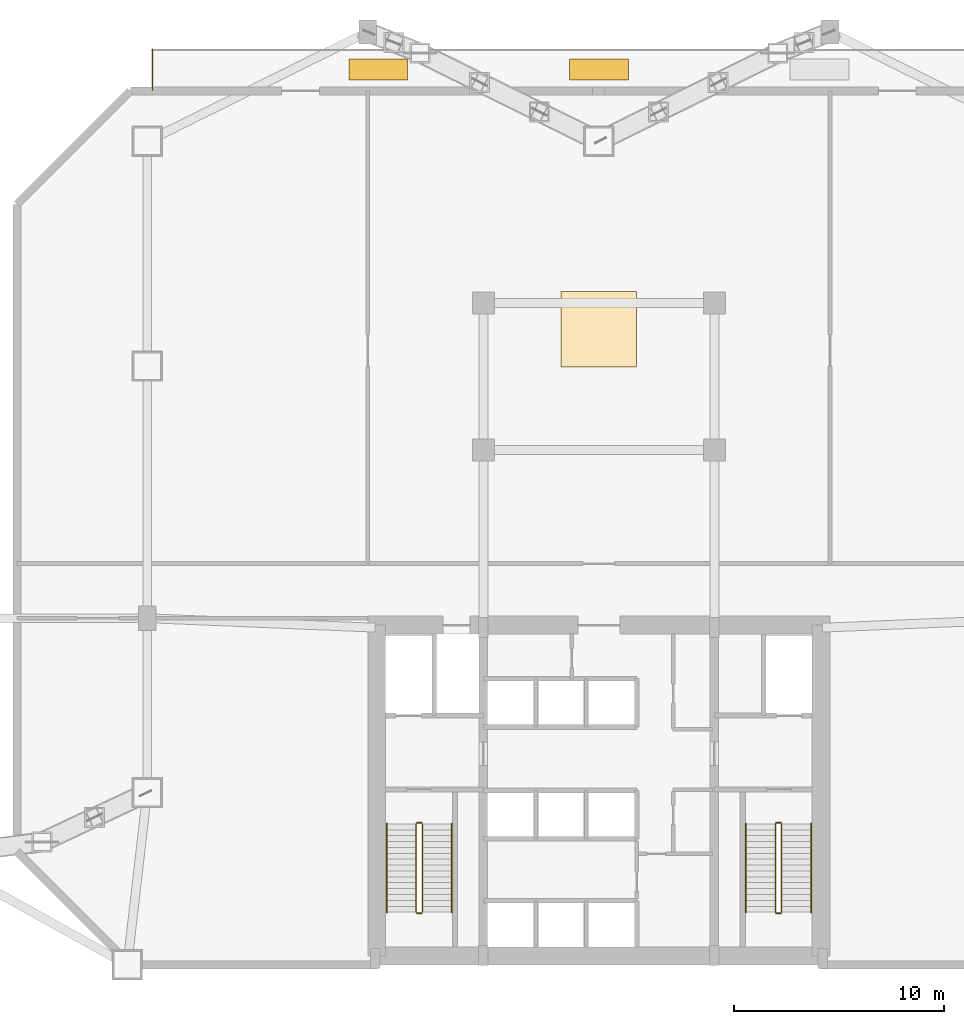
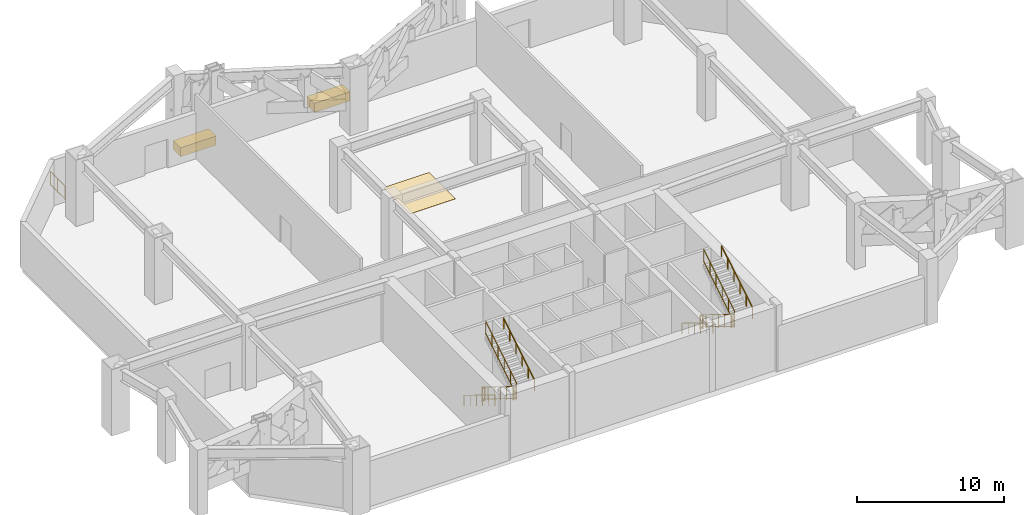
# One storey, part 8 of 9: 13 railings, 3 coverings.
"""IFC4 building model written with IfcOpenShell, lengths in metres."""

from ifc_helpers import new_model, si_unit, direction, frame, origin, origin_2d, place, context, subcontext, project, spatial, rectangle, extrude, source, transform, mapped, material, layer, layer_set, type_object, type_shapes, element, save


model = new_model("IFC4")

# Units and contexts
model_context = context("Model", 3, precision=1e-05, world=origin(), true_north=direction((0.0, 1.0)))
body_context = subcontext(model_context, "Body", "Model", "MODEL_VIEW")
ifc_project = project(units=[si_unit("LENGTHUNIT", "METRE"), si_unit("AREAUNIT", "SQUARE_METRE"), si_unit("VOLUMEUNIT", "CUBIC_METRE"), si_unit("PLANEANGLEUNIT", "RADIAN"), si_unit("MASSUNIT", "GRAM", prefix="KILO")], contexts=[model_context])

# Site, building, storey
site_placement = place(None, origin())
site = spatial("IfcSite", under=ifc_project, at=site_placement, CompositionType="ELEMENT")
building_placement = place(site_placement, origin())
building = spatial("IfcBuilding", under=site, at=building_placement, Name="Varnakhor Terracotta Tower", CompositionType="ELEMENT")
storey_placement = place(building_placement, frame((0.0, 0.0, 22.0)))
storey = spatial("IfcBuildingStorey", under=building, at=storey_placement, Name="L04", CompositionType="ELEMENT", Elevation=22.0)

# Railings
ifc_material_1 = material(Name="Painted Steel Stairwell Guardrail", Category="steel")
railing_type_1 = type_object("IfcRailingType", Name="RLG-STAIR-GUARD-1120", PredefinedType="GUARDRAIL", material=ifc_material_1)
railing_1_placement = place(storey_placement, frame((-8.699951171875, 6.7099609375, 0.171875)))
element("IfcRailing", 1, at=railing_1_placement, inside=storey, type_object=railing_type_1, Name="L04 ST-1 stair guard 1", PredefinedType="GUARDRAIL", context=body_context, shape_type="SweptSolid", body=[
    extrude(rectangle(XDim=0.048095703125, YDim=0.048095703125, at=origin_2d()), frame((0.0, 0.0, 1.09619140625), z_axis=(0.0, -0.852242915053, 0.523146264196), x_axis=(1.0, 0.0, 0.0)), (0.0, 0.0, 1.0), 4.92822265625),
    extrude(rectangle(XDim=0.048095703125, YDim=0.048095703125, at=origin_2d()), frame((0.0, 0.0, 0.10009765625), z_axis=(0.0, -0.852242915053, 0.523146264196), x_axis=(1.0, 0.0, 0.0)), (0.0, 0.0, 1.0), 4.92822265625),
    extrude(rectangle(XDim=0.0419921875, YDim=0.0419921875, at=origin_2d()), origin(), (0.0, 0.0, 1.0), 1.072021484375),
    extrude(rectangle(XDim=0.0419921875, YDim=0.0419921875, at=origin_2d()), frame((0.0, -0.840087890625, 0.515625)), (0.0, 0.0, 1.0), 1.072021484375),
    extrude(rectangle(XDim=0.0419921875, YDim=0.0419921875, at=origin_2d()), frame((0.0, -1.679931640625, 1.03125)), (0.0, 0.0, 1.0), 1.072021484375),
    extrude(rectangle(XDim=0.0419921875, YDim=0.0419921875, at=origin_2d()), frame((0.0, -2.52001953125, 1.546875)), (0.0, 0.0, 1.0), 1.072021484375),
    extrude(rectangle(XDim=0.0419921875, YDim=0.0419921875, at=origin_2d()), frame((0.0, -3.35986328125, 2.0625)), (0.0, 0.0, 1.0), 1.072021484375),
    extrude(rectangle(XDim=0.0419921875, YDim=0.0419921875, at=origin_2d()), frame((0.0, -4.199951171875, 2.578125)), (0.0, 0.0, 1.0), 1.072021484375),
])
railing_2_placement = place(storey_placement, frame((-8.64990234375, 2.4599609375, 2.75)))
element("IfcRailing", 2, at=railing_2_placement, inside=storey, type_object=railing_type_1, Name="L04 ST-1 stair guard 2", PredefinedType="GUARDRAIL", context=body_context, shape_type="SweptSolid", body=[
    extrude(rectangle(XDim=0.048095703125, YDim=0.048095703125, at=origin_2d()), frame((0.0, 0.0, 1.09619140625), z_axis=(1.0, 0.0, 0.0), x_axis=(0.0, 1.0, 0.0)), (0.0, 0.0, 1.0), 0.199951171875),
    extrude(rectangle(XDim=0.048095703125, YDim=0.048095703125, at=origin_2d()), frame((0.0, 0.0, 0.10009765625), z_axis=(1.0, 0.0, 0.0), x_axis=(0.0, 1.0, 0.0)), (0.0, 0.0, 1.0), 0.199951171875),
    extrude(rectangle(XDim=0.0419921875, YDim=0.0419921875, at=origin_2d()), origin(), (0.0, 0.0, 1.0), 1.072021484375),
    extrude(rectangle(XDim=0.0419921875, YDim=0.0419921875, at=origin_2d()), frame((0.199951171875, 0.0, 0.0)), (0.0, 0.0, 1.0), 1.072021484375),
])
railing_3_placement = place(storey_placement, frame((-8.39990234375, 2.510009765625, 2.921875)))
element("IfcRailing", 3, at=railing_3_placement, inside=storey, type_object=railing_type_1, Name="L04 ST-1 stair guard 3", PredefinedType="GUARDRAIL", context=body_context, shape_type="SweptSolid", body=[
    extrude(rectangle(XDim=0.048095703125, YDim=0.048095703125, at=origin_2d()), frame((0.0, 0.0, 1.09619140625), z_axis=(0.0, 0.852242915053, 0.523146264196), x_axis=(-1.0, 0.0, 0.0)), (0.0, 0.0, 1.0), 4.92822265625),
    extrude(rectangle(XDim=0.048095703125, YDim=0.048095703125, at=origin_2d()), frame((0.0, 0.0, 0.10009765625), z_axis=(0.0, 0.852242915053, 0.523146264196), x_axis=(-1.0, 0.0, 0.0)), (0.0, 0.0, 1.0), 4.92822265625),
    extrude(rectangle(XDim=0.0419921875, YDim=0.0419921875, at=origin_2d()), origin(), (0.0, 0.0, 1.0), 1.072021484375),
    extrude(rectangle(XDim=0.0419921875, YDim=0.0419921875, at=origin_2d()), frame((0.0, 0.840087890625, 0.515625)), (0.0, 0.0, 1.0), 1.072021484375),
    extrude(rectangle(XDim=0.0419921875, YDim=0.0419921875, at=origin_2d()), frame((0.0, 1.679931640625, 1.03125)), (0.0, 0.0, 1.0), 1.072021484375),
    extrude(rectangle(XDim=0.0419921875, YDim=0.0419921875, at=origin_2d()), frame((0.0, 2.52001953125, 1.546875)), (0.0, 0.0, 1.0), 1.072021484375),
    extrude(rectangle(XDim=0.0419921875, YDim=0.0419921875, at=origin_2d()), frame((0.0, 3.35986328125, 2.0625)), (0.0, 0.0, 1.0), 1.072021484375),
    extrude(rectangle(XDim=0.0419921875, YDim=0.0419921875, at=origin_2d()), frame((0.0, 4.199951171875, 2.578125)), (0.0, 0.0, 1.0), 1.072021484375),
])
railing_4_placement = place(storey_placement, frame((-8.64990234375, 6.760009765625, 0.0)))
element("IfcRailing", 4, at=railing_4_placement, inside=storey, type_object=railing_type_1, Name="L04 ST-1 stair guard 4", PredefinedType="GUARDRAIL", context=body_context, shape_type="SweptSolid", body=[
    extrude(rectangle(XDim=0.048095703125, YDim=0.048095703125, at=origin_2d()), frame((0.0, 0.0, 1.09619140625), z_axis=(1.0, 0.0, 0.0), x_axis=(0.0, 1.0, 0.0)), (0.0, 0.0, 1.0), 0.199951171875),
    extrude(rectangle(XDim=0.048095703125, YDim=0.048095703125, at=origin_2d()), frame((0.0, 0.0, 0.10009765625), z_axis=(1.0, 0.0, 0.0), x_axis=(0.0, 1.0, 0.0)), (0.0, 0.0, 1.0), 0.199951171875),
    extrude(rectangle(XDim=0.0419921875, YDim=0.0419921875, at=origin_2d()), origin(), (0.0, 0.0, 1.0), 1.072021484375),
    extrude(rectangle(XDim=0.0419921875, YDim=0.0419921875, at=origin_2d()), frame((0.199951171875, 0.0, 0.0)), (0.0, 0.0, 1.0), 1.072021484375),
])
railing_5_placement = place(storey_placement, frame((8.39990234375, 6.7099609375, 0.171875)))
element("IfcRailing", 5, at=railing_5_placement, inside=storey, type_object=railing_type_1, Name="L04 ST-2 stair guard 1", PredefinedType="GUARDRAIL", context=body_context, shape_type="SweptSolid", body=[
    extrude(rectangle(XDim=0.048095703125, YDim=0.048095703125, at=origin_2d()), frame((0.0, 0.0, 1.09619140625), z_axis=(0.0, -0.852242915053, 0.523146264196), x_axis=(1.0, 0.0, 0.0)), (0.0, 0.0, 1.0), 4.92822265625),
    extrude(rectangle(XDim=0.048095703125, YDim=0.048095703125, at=origin_2d()), frame((0.0, 0.0, 0.10009765625), z_axis=(0.0, -0.852242915053, 0.523146264196), x_axis=(1.0, 0.0, 0.0)), (0.0, 0.0, 1.0), 4.92822265625),
    extrude(rectangle(XDim=0.0419921875, YDim=0.0419921875, at=origin_2d()), origin(), (0.0, 0.0, 1.0), 1.072021484375),
    extrude(rectangle(XDim=0.0419921875, YDim=0.0419921875, at=origin_2d()), frame((0.0, -0.840087890625, 0.515625)), (0.0, 0.0, 1.0), 1.072021484375),
    extrude(rectangle(XDim=0.0419921875, YDim=0.0419921875, at=origin_2d()), frame((0.0, -1.679931640625, 1.03125)), (0.0, 0.0, 1.0), 1.072021484375),
    extrude(rectangle(XDim=0.0419921875, YDim=0.0419921875, at=origin_2d()), frame((0.0, -2.52001953125, 1.546875)), (0.0, 0.0, 1.0), 1.072021484375),
    extrude(rectangle(XDim=0.0419921875, YDim=0.0419921875, at=origin_2d()), frame((0.0, -3.35986328125, 2.0625)), (0.0, 0.0, 1.0), 1.072021484375),
    extrude(rectangle(XDim=0.0419921875, YDim=0.0419921875, at=origin_2d()), frame((0.0, -4.199951171875, 2.578125)), (0.0, 0.0, 1.0), 1.072021484375),
])
railing_6_placement = place(storey_placement, frame((8.449951171875, 2.4599609375, 2.75)))
element("IfcRailing", 6, at=railing_6_placement, inside=storey, type_object=railing_type_1, Name="L04 ST-2 stair guard 2", PredefinedType="GUARDRAIL", context=body_context, shape_type="SweptSolid", body=[
    extrude(rectangle(XDim=0.048095703125, YDim=0.048095703125, at=origin_2d()), frame((0.0, 0.0, 1.09619140625), z_axis=(1.0, 0.0, 0.0), x_axis=(0.0, 1.0, 0.0)), (0.0, 0.0, 1.0), 0.199951171875),
    extrude(rectangle(XDim=0.048095703125, YDim=0.048095703125, at=origin_2d()), frame((0.0, 0.0, 0.10009765625), z_axis=(1.0, 0.0, 0.0), x_axis=(0.0, 1.0, 0.0)), (0.0, 0.0, 1.0), 0.199951171875),
    extrude(rectangle(XDim=0.0419921875, YDim=0.0419921875, at=origin_2d()), origin(), (0.0, 0.0, 1.0), 1.072021484375),
    extrude(rectangle(XDim=0.0419921875, YDim=0.0419921875, at=origin_2d()), frame((0.199951171875, 0.0, 0.0)), (0.0, 0.0, 1.0), 1.072021484375),
])
railing_7_placement = place(storey_placement, frame((8.699951171875, 2.510009765625, 2.921875)))
element("IfcRailing", 7, at=railing_7_placement, inside=storey, type_object=railing_type_1, Name="L04 ST-2 stair guard 3", PredefinedType="GUARDRAIL", context=body_context, shape_type="SweptSolid", body=[
    extrude(rectangle(XDim=0.048095703125, YDim=0.048095703125, at=origin_2d()), frame((0.0, 0.0, 1.09619140625), z_axis=(0.0, 0.852242915053, 0.523146264196), x_axis=(-1.0, 0.0, 0.0)), (0.0, 0.0, 1.0), 4.92822265625),
    extrude(rectangle(XDim=0.048095703125, YDim=0.048095703125, at=origin_2d()), frame((0.0, 0.0, 0.10009765625), z_axis=(0.0, 0.852242915053, 0.523146264196), x_axis=(-1.0, 0.0, 0.0)), (0.0, 0.0, 1.0), 4.92822265625),
    extrude(rectangle(XDim=0.0419921875, YDim=0.0419921875, at=origin_2d()), origin(), (0.0, 0.0, 1.0), 1.072021484375),
    extrude(rectangle(XDim=0.0419921875, YDim=0.0419921875, at=origin_2d()), frame((0.0, 0.840087890625, 0.515625)), (0.0, 0.0, 1.0), 1.072021484375),
    extrude(rectangle(XDim=0.0419921875, YDim=0.0419921875, at=origin_2d()), frame((0.0, 1.679931640625, 1.03125)), (0.0, 0.0, 1.0), 1.072021484375),
    extrude(rectangle(XDim=0.0419921875, YDim=0.0419921875, at=origin_2d()), frame((0.0, 2.52001953125, 1.546875)), (0.0, 0.0, 1.0), 1.072021484375),
    extrude(rectangle(XDim=0.0419921875, YDim=0.0419921875, at=origin_2d()), frame((0.0, 3.35986328125, 2.0625)), (0.0, 0.0, 1.0), 1.072021484375),
    extrude(rectangle(XDim=0.0419921875, YDim=0.0419921875, at=origin_2d()), frame((0.0, 4.199951171875, 2.578125)), (0.0, 0.0, 1.0), 1.072021484375),
])
railing_8_placement = place(storey_placement, frame((8.449951171875, 6.760009765625, 0.0)))
element("IfcRailing", 8, at=railing_8_placement, inside=storey, type_object=railing_type_1, Name="L04 ST-2 stair guard 4", PredefinedType="GUARDRAIL", context=body_context, shape_type="SweptSolid", body=[
    extrude(rectangle(XDim=0.048095703125, YDim=0.048095703125, at=origin_2d()), frame((0.0, 0.0, 1.09619140625), z_axis=(1.0, 0.0, 0.0), x_axis=(0.0, 1.0, 0.0)), (0.0, 0.0, 1.0), 0.199951171875),
    extrude(rectangle(XDim=0.048095703125, YDim=0.048095703125, at=origin_2d()), frame((0.0, 0.0, 0.10009765625), z_axis=(1.0, 0.0, 0.0), x_axis=(0.0, 1.0, 0.0)), (0.0, 0.0, 1.0), 0.199951171875),
    extrude(rectangle(XDim=0.0419921875, YDim=0.0419921875, at=origin_2d()), origin(), (0.0, 0.0, 1.0), 1.072021484375),
    extrude(rectangle(XDim=0.0419921875, YDim=0.0419921875, at=origin_2d()), frame((0.199951171875, 0.0, 0.0)), (0.0, 0.0, 1.0), 1.072021484375),
])
ifc_material_2 = material(Name="Brushed Stainless Steel Handrail", Category="steel")
railing_type_2 = type_object("IfcRailingType", Name="RLG-STAIR-HANDRAIL-920", PredefinedType="HANDRAIL", material=ifc_material_2)
railing_9_placement = place(storey_placement, frame((-10.10009765625, 6.7099609375, 0.171875)))
element("IfcRailing", 9, at=railing_9_placement, inside=storey, type_object=railing_type_2, Name="L04 ST-1 stair handrail 1", PredefinedType="HANDRAIL", context=body_context, shape_type="SweptSolid", body=[
    extrude(rectangle(XDim=0.048095703125, YDim=0.048095703125, at=origin_2d()), frame((0.0, 0.0, 0.89599609375), z_axis=(0.0, -0.852242915053, 0.523146264196), x_axis=(1.0, 0.0, 0.0)), (0.0, 0.0, 1.0), 4.92822265625),
    extrude(rectangle(XDim=0.0419921875, YDim=0.0419921875, at=origin_2d()), origin(), (0.0, 0.0, 1.0), 0.871826171875),
    extrude(rectangle(XDim=0.0419921875, YDim=0.0419921875, at=origin_2d()), frame((0.0, -0.840087890625, 0.515625)), (0.0, 0.0, 1.0), 0.871826171875),
    extrude(rectangle(XDim=0.0419921875, YDim=0.0419921875, at=origin_2d()), frame((0.0, -1.679931640625, 1.03125)), (0.0, 0.0, 1.0), 0.871826171875),
    extrude(rectangle(XDim=0.0419921875, YDim=0.0419921875, at=origin_2d()), frame((0.0, -2.52001953125, 1.546875)), (0.0, 0.0, 1.0), 0.871826171875),
    extrude(rectangle(XDim=0.0419921875, YDim=0.0419921875, at=origin_2d()), frame((0.0, -3.35986328125, 2.0625)), (0.0, 0.0, 1.0), 0.871826171875),
    extrude(rectangle(XDim=0.0419921875, YDim=0.0419921875, at=origin_2d()), frame((0.0, -4.199951171875, 2.578125)), (0.0, 0.0, 1.0), 0.871826171875),
])
railing_10_placement = place(storey_placement, frame((-7.0, 2.510009765625, 2.921875)))
element("IfcRailing", 10, at=railing_10_placement, inside=storey, type_object=railing_type_2, Name="L04 ST-1 stair handrail 2", PredefinedType="HANDRAIL", context=body_context, shape_type="SweptSolid", body=[
    extrude(rectangle(XDim=0.048095703125, YDim=0.048095703125, at=origin_2d()), frame((0.0, 0.0, 0.89599609375), z_axis=(0.0, 0.852242915053, 0.523146264196), x_axis=(-1.0, 0.0, 0.0)), (0.0, 0.0, 1.0), 4.92822265625),
    extrude(rectangle(XDim=0.0419921875, YDim=0.0419921875, at=origin_2d()), origin(), (0.0, 0.0, 1.0), 0.871826171875),
    extrude(rectangle(XDim=0.0419921875, YDim=0.0419921875, at=origin_2d()), frame((0.0, 0.840087890625, 0.515625)), (0.0, 0.0, 1.0), 0.871826171875),
    extrude(rectangle(XDim=0.0419921875, YDim=0.0419921875, at=origin_2d()), frame((0.0, 1.679931640625, 1.03125)), (0.0, 0.0, 1.0), 0.871826171875),
    extrude(rectangle(XDim=0.0419921875, YDim=0.0419921875, at=origin_2d()), frame((0.0, 2.52001953125, 1.546875)), (0.0, 0.0, 1.0), 0.871826171875),
    extrude(rectangle(XDim=0.0419921875, YDim=0.0419921875, at=origin_2d()), frame((0.0, 3.35986328125, 2.0625)), (0.0, 0.0, 1.0), 0.871826171875),
    extrude(rectangle(XDim=0.0419921875, YDim=0.0419921875, at=origin_2d()), frame((0.0, 4.199951171875, 2.578125)), (0.0, 0.0, 1.0), 0.871826171875),
])
railing_11_placement = place(storey_placement, frame((7.0, 6.7099609375, 0.171875)))
element("IfcRailing", 11, at=railing_11_placement, inside=storey, type_object=railing_type_2, Name="L04 ST-2 stair handrail 1", PredefinedType="HANDRAIL", context=body_context, shape_type="SweptSolid", body=[
    extrude(rectangle(XDim=0.048095703125, YDim=0.048095703125, at=origin_2d()), frame((0.0, 0.0, 0.89599609375), z_axis=(0.0, -0.852242915053, 0.523146264196), x_axis=(1.0, 0.0, 0.0)), (0.0, 0.0, 1.0), 4.92822265625),
    extrude(rectangle(XDim=0.0419921875, YDim=0.0419921875, at=origin_2d()), origin(), (0.0, 0.0, 1.0), 0.871826171875),
    extrude(rectangle(XDim=0.0419921875, YDim=0.0419921875, at=origin_2d()), frame((0.0, -0.840087890625, 0.515625)), (0.0, 0.0, 1.0), 0.871826171875),
    extrude(rectangle(XDim=0.0419921875, YDim=0.0419921875, at=origin_2d()), frame((0.0, -1.679931640625, 1.03125)), (0.0, 0.0, 1.0), 0.871826171875),
    extrude(rectangle(XDim=0.0419921875, YDim=0.0419921875, at=origin_2d()), frame((0.0, -2.52001953125, 1.546875)), (0.0, 0.0, 1.0), 0.871826171875),
    extrude(rectangle(XDim=0.0419921875, YDim=0.0419921875, at=origin_2d()), frame((0.0, -3.35986328125, 2.0625)), (0.0, 0.0, 1.0), 0.871826171875),
    extrude(rectangle(XDim=0.0419921875, YDim=0.0419921875, at=origin_2d()), frame((0.0, -4.199951171875, 2.578125)), (0.0, 0.0, 1.0), 0.871826171875),
])
railing_12_placement = place(storey_placement, frame((10.10009765625, 2.510009765625, 2.921875)))
element("IfcRailing", 12, at=railing_12_placement, inside=storey, type_object=railing_type_2, Name="L04 ST-2 stair handrail 2", PredefinedType="HANDRAIL", context=body_context, shape_type="SweptSolid", body=[
    extrude(rectangle(XDim=0.048095703125, YDim=0.048095703125, at=origin_2d()), frame((0.0, 0.0, 0.89599609375), z_axis=(0.0, 0.852242915053, 0.523146264196), x_axis=(-1.0, 0.0, 0.0)), (0.0, 0.0, 1.0), 4.92822265625),
    extrude(rectangle(XDim=0.0419921875, YDim=0.0419921875, at=origin_2d()), origin(), (0.0, 0.0, 1.0), 0.871826171875),
    extrude(rectangle(XDim=0.0419921875, YDim=0.0419921875, at=origin_2d()), frame((0.0, 0.840087890625, 0.515625)), (0.0, 0.0, 1.0), 0.871826171875),
    extrude(rectangle(XDim=0.0419921875, YDim=0.0419921875, at=origin_2d()), frame((0.0, 1.679931640625, 1.03125)), (0.0, 0.0, 1.0), 0.871826171875),
    extrude(rectangle(XDim=0.0419921875, YDim=0.0419921875, at=origin_2d()), frame((0.0, 2.52001953125, 1.546875)), (0.0, 0.0, 1.0), 0.871826171875),
    extrude(rectangle(XDim=0.0419921875, YDim=0.0419921875, at=origin_2d()), frame((0.0, 3.35986328125, 2.0625)), (0.0, 0.0, 1.0), 0.871826171875),
    extrude(rectangle(XDim=0.0419921875, YDim=0.0419921875, at=origin_2d()), frame((0.0, 4.199951171875, 2.578125)), (0.0, 0.0, 1.0), 0.871826171875),
])
ifc_material_3 = material(Name="Terracotta & Brushed Steel Balustrade", Category="masonry")
railing_type_3 = type_object("IfcRailingType", Name="RLG-TERRACE-GUARD-1200", PredefinedType="BALUSTRADE", material=ifc_material_3)
railing_13_placement = place(storey_placement, frame((-21.25, 41.639892578125, 0.0)))
element("IfcRailing", 13, at=railing_13_placement, inside=storey, type_object=railing_type_3, Name="L04 Terrace Stone Parapet Guard 4", PredefinedType="BALUSTRADE", context=body_context, shape_type="SweptSolid", body=[
    extrude(rectangle(XDim=0.048095703125, YDim=0.048095703125, at=origin_2d()), frame((0.0, 0.0, 1.17578125), z_axis=(0.0, 1.0, 0.0), x_axis=(-1.0, 0.0, 0.0)), (0.0, 0.0, 1.0), 1.960205078125),
    extrude(rectangle(XDim=0.048095703125, YDim=0.048095703125, at=origin_2d()), frame((0.0, 0.0, 0.10009765625), z_axis=(0.0, 1.0, 0.0), x_axis=(-1.0, 0.0, 0.0)), (0.0, 0.0, 1.0), 1.960205078125),
    extrude(rectangle(XDim=0.0419921875, YDim=0.0419921875, at=origin_2d()), origin(), (0.0, 0.0, 1.0), 1.15185546875),
    extrude(rectangle(XDim=0.0419921875, YDim=0.0419921875, at=origin_2d()), frame((0.0, 0.97998046875, 0.0)), (0.0, 0.0, 1.0), 1.15185546875),
    extrude(rectangle(XDim=0.0419921875, YDim=0.0419921875, at=origin_2d()), frame((0.0, 1.960205078125, 0.0)), (0.0, 0.0, 1.0), 1.15185546875),
])

# Coverings
ifc_material_4 = material(Name="Planted Terracotta Garden Substrate Bed", Category="masonry")
ifc_layer_1 = layer(ifc_material_4, 0.449951171875, Name="Planted Terracotta Garden Substrate Bed")
ifc_layer_set_1 = layer_set([ifc_layer_1], Name="Planted Terracotta Garden Substrate Bed")
covering_type_1 = type_object("IfcCoveringType", Name="PLANTER TERRACOTTA BED", PredefinedType="USERDEFINED", material=ifc_layer_set_1)
shared_shape_1 = source(origin(), body_context, "Body", "SweptSolid", [
    extrude(rectangle(XDim=2.800048828125, YDim=1.0, at=origin_2d()), origin(), (0.0, 0.0, 1.0), 0.75),
])
type_shapes(covering_type_1, [shared_shape_1])
for number, where, z_axis, x_axis, name in (
    (14, (-10.5, 42.6201171875, 0.0), (0.0, 0.0, 1.0), (1.0, 0.0, 0.0), "L04 Terrace Landscaped Planter 1"),
    (15, (0.0, 42.6201171875, 0.0), (0.0, 0.0, 1.0), (1.0, 0.0, 0.0), "L04 Terrace Landscaped Planter 2"),
):
    element("IfcCovering", number, at=place(storey_placement, frame(where, z_axis=z_axis, x_axis=x_axis)), inside=storey, type_object=covering_type_1, Name=name, ObjectType="PLANTER", PredefinedType="USERDEFINED", context=body_context, shape_type="MappedRepresentation", body=[
        mapped(shared_shape_1, transform((0.0, 0.0, 0.0), scale=1.0)),
    ])
ifc_material_5 = material(Name="Insulated Elastomeric Waterproof Roofing Membrane", Category="other")
ifc_layer_2 = layer(ifc_material_5, 0.034912109375, Name="Insulated Elastomeric Waterproof Roofing Membrane")
ifc_layer_set_2 = layer_set([ifc_layer_2], Name="Insulated Elastomeric Waterproof Roofing Membrane")
covering_type_2 = type_object("IfcCoveringType", Name="COV-ROOF-MEMBRANE", PredefinedType="ROOFING", material=ifc_layer_set_2)
shared_shape_2 = source(origin(), body_context, "Body", "SweptSolid", [
    extrude(rectangle(XDim=3.60009765625, YDim=3.60009765625, at=origin_2d()), origin(), (0.0, 0.0, 1.0), 0.014892578125),
])
type_shapes(covering_type_2, [shared_shape_2])
covering_placement = place(storey_placement, frame((0.0, 30.259033203125, 0.0), z_axis=(0.0, 0.0, 1.0), x_axis=(1.0, 0.0, 0.0)))
element("IfcCovering", 16, at=covering_placement, inside=storey, type_object=covering_type_2, Name="L04 Waterproof Plant Membrane 1", PredefinedType="ROOFING", context=body_context, shape_type="MappedRepresentation", body=[
    mapped(shared_shape_2, transform((0.0, 0.0, 0.0), scale=1.0)),
])

save(model, "model.ifc")
